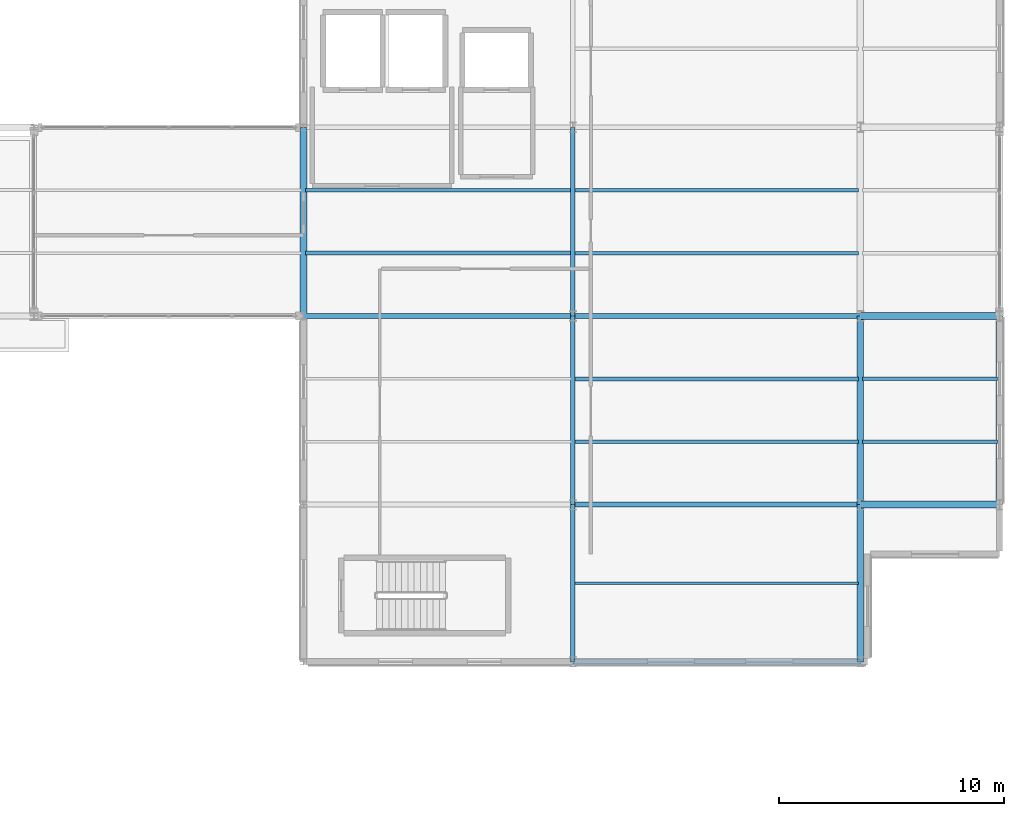
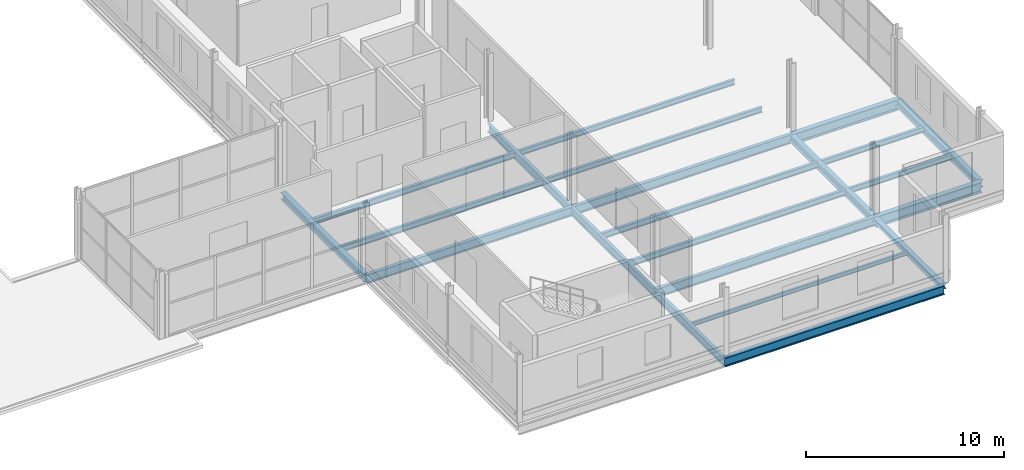
# One storey, part 66 of 93: 22 beams.
"""IFC4 building model written with IfcOpenShell, lengths in metres."""

from ifc_helpers import new_model, si_unit, direction, frame, origin, origin_2d, place, context, subcontext, project, spatial, i_section, extrude, material, material_profile, profile_set, type_object, element, save


model = new_model("IFC4")

# Units and contexts
model_context = context("Model", 3, precision=1e-05, world=origin(), true_north=direction((0.0, 1.0)))
body_context = subcontext(model_context, "Body", "Model", "MODEL_VIEW")
ifc_project = project(units=[si_unit("LENGTHUNIT", "METRE"), si_unit("AREAUNIT", "SQUARE_METRE"), si_unit("VOLUMEUNIT", "CUBIC_METRE"), si_unit("PLANEANGLEUNIT", "RADIAN"), si_unit("MASSUNIT", "GRAM", prefix="KILO")], contexts=[model_context])

# Site, building, storey
site_placement = place(None, origin())
site = spatial("IfcSite", under=ifc_project, at=site_placement, CompositionType="ELEMENT")
building_placement = place(site_placement, origin())
building = spatial("IfcBuilding", under=site, at=building_placement, Name="Vekula Escarpment Museum", CompositionType="ELEMENT")
storey_placement = place(building_placement, frame((0.0, 0.0, 22.199951171875)))
storey = spatial("IfcBuildingStorey", under=building, at=storey_placement, Name="L05", CompositionType="ELEMENT", Elevation=22.199951171875)

# Beams
ifc_material_1 = material(Name="Steel S355", Category="steel")
ifc_material_profile_1 = material_profile(ifc_material_1, i_section(OverallWidth=0.300048828125, OverallDepth=0.64990234375, WebThickness=0.01611328125, FlangeThickness=0.031005859375, FilletRadius=0.027099609375, at=origin_2d()), Name="HEB 650")
ifc_profile_set_1 = profile_set([ifc_material_profile_1], Name="Steel S355")
beam_type_1 = type_object("IfcBeamType", Name="BM-GIRD-HEB650", PredefinedType="BEAM", material=ifc_profile_set_1)
for number, where, z_axis, x_axis, name in (
    (1, (191.800048828125, 59.60009765625, -0.574951171875), (1.0, 0.0, 0.0), (0.0, 1.0, 0.0), "Beam X L05 1991"),
    (2, (191.800048828125, 68.0, -0.574951171875), (1.0, 0.0, 0.0), (0.0, 1.0, 0.0), "Beam X L05 2008"),
):
    element("IfcBeam", number, at=place(storey_placement, frame(where, z_axis=z_axis, x_axis=x_axis)), inside=storey, type_object=beam_type_1, Name=name, PredefinedType="BEAM", context=body_context, shape_type="SweptSolid", body=[
        extrude(i_section(OverallWidth=0.300048828125, OverallDepth=0.64990234375, WebThickness=0.01611328125, FlangeThickness=0.031005859375, FilletRadius=0.027099609375, at=origin_2d()), origin(), (0.0, 0.0, 1.0), 6.199951171875),
    ])
ifc_material_2 = material(Name="Steel S355", Category="steel")
ifc_material_profile_2 = material_profile(ifc_material_2, i_section(OverallWidth=0.199951171875, OverallDepth=0.5, WebThickness=0.01025390625, FlangeThickness=0.01611328125, FilletRadius=0.02099609375, at=origin_2d()), Name="IPE 500")
ifc_profile_set_2 = profile_set([ifc_material_profile_2], Name="Steel S355")
beam_type_2 = type_object("IfcBeamType", Name="BM-GIRD-IPE500", PredefinedType="BEAM", material=ifc_profile_set_2)
beam_1_placement = place(storey_placement, frame((179.0, 52.60009765625, -0.5), z_axis=(0.0, 1.0, 0.0), x_axis=(-1.0, 0.0, 0.0)))
element("IfcBeam", 3, at=beam_1_placement, inside=storey, type_object=beam_type_2, Name="Beam Y L05 2166", PredefinedType="BEAM", context=body_context, shape_type="SweptSolid", body=[
    extrude(i_section(OverallWidth=0.199951171875, OverallDepth=0.5, WebThickness=0.01025390625, FlangeThickness=0.01611328125, FilletRadius=0.02099609375, at=origin_2d()), origin(), (0.0, 0.0, 1.0), 7.0),
])
for number, where, z_axis, x_axis, name in (
    (4, (179.0, 59.60009765625, -0.5), (0.0, 1.0, 0.0), (-1.0, 0.0, 0.0), "Beam Y L05 2167"),
    (5, (179.0, 68.0, -0.5), (0.0, 1.0, 0.0), (-1.0, 0.0, 0.0), "Beam Y L05 2168"),
):
    element("IfcBeam", number, at=place(storey_placement, frame(where, z_axis=z_axis, x_axis=x_axis)), inside=storey, type_object=beam_type_2, Name=name, PredefinedType="BEAM", context=body_context, shape_type="SweptSolid", body=[
        extrude(i_section(OverallWidth=0.199951171875, OverallDepth=0.5, WebThickness=0.01025390625, FlangeThickness=0.01611328125, FilletRadius=0.02099609375, at=origin_2d()), origin(), (0.0, 0.0, 1.0), 8.39990234375),
    ])
ifc_material_3 = material(Name="Steel S355", Category="steel")
ifc_material_profile_3 = material_profile(ifc_material_3, i_section(OverallWidth=0.2099609375, OverallDepth=0.550048828125, WebThickness=0.010986328125, FlangeThickness=0.01708984375, FilletRadius=0.02392578125, at=origin_2d()), Name="IPE 550")
ifc_profile_set_3 = profile_set([ifc_material_profile_3], Name="Steel S355")
beam_type_3 = type_object("IfcBeamType", Name="BM-GIRD-IPE550", PredefinedType="BEAM", material=ifc_profile_set_3)
for number, where, z_axis, x_axis, name in (
    (6, (179.0, 52.60009765625, -0.52490234375), (1.0, 0.0, 0.0), (0.0, 1.0, 0.0), "Beam X L05 1974"),
    (7, (179.0, 59.60009765625, -0.52490234375), (1.0, 0.0, 0.0), (0.0, 1.0, 0.0), "Beam X L05 1990"),
):
    element("IfcBeam", number, at=place(storey_placement, frame(where, z_axis=z_axis, x_axis=x_axis)), inside=storey, type_object=beam_type_3, Name=name, PredefinedType="BEAM", context=body_context, shape_type="SweptSolid", body=[
        extrude(i_section(OverallWidth=0.2099609375, OverallDepth=0.550048828125, WebThickness=0.010986328125, FlangeThickness=0.01708984375, FilletRadius=0.02392578125, at=origin_2d()), origin(), (0.0, 0.0, 1.0), 12.800048828125),
    ])
beam_2_placement = place(storey_placement, frame((167.0, 68.0, -0.52490234375), z_axis=(1.0, 0.0, 0.0), x_axis=(0.0, 1.0, 0.0)))
element("IfcBeam", 8, at=beam_2_placement, inside=storey, type_object=beam_type_3, Name="Beam X L05 2006", PredefinedType="BEAM", context=body_context, shape_type="SweptSolid", body=[
    extrude(i_section(OverallWidth=0.2099609375, OverallDepth=0.550048828125, WebThickness=0.010986328125, FlangeThickness=0.01708984375, FilletRadius=0.02392578125, at=origin_2d()), origin(), (0.0, 0.0, 1.0), 12.0),
])
beam_3_placement = place(storey_placement, frame((179.0, 68.0, -0.52490234375), z_axis=(1.0, 0.0, 0.0), x_axis=(0.0, 1.0, 0.0)))
element("IfcBeam", 9, at=beam_3_placement, inside=storey, type_object=beam_type_3, Name="Beam X L05 2007", PredefinedType="BEAM", context=body_context, shape_type="SweptSolid", body=[
    extrude(i_section(OverallWidth=0.2099609375, OverallDepth=0.550048828125, WebThickness=0.010986328125, FlangeThickness=0.01708984375, FilletRadius=0.02392578125, at=origin_2d()), origin(), (0.0, 0.0, 1.0), 12.800048828125),
])
ifc_material_4 = material(Name="Steel S355", Category="steel")
ifc_material_profile_4 = material_profile(ifc_material_4, i_section(OverallWidth=0.1201171875, OverallDepth=0.239990234375, WebThickness=0.006103515625, FlangeThickness=0.009765625, FilletRadius=0.014892578125, at=origin_2d()), Name="IPE 240")
ifc_profile_set_4 = profile_set([ifc_material_profile_4], Name="Steel S355")
beam_type_4 = type_object("IfcBeamType", Name="BM-JST-IPE240", PredefinedType="JOIST", material=ifc_profile_set_4)
beam_4_placement = place(storey_placement, frame((179.090087890625, 56.10009765625, -0.369873046875), z_axis=(1.0, 0.0, 0.0), x_axis=(0.0, 1.0, 0.0)))
element("IfcBeam", 10, at=beam_4_placement, inside=storey, type_object=beam_type_4, Name="Secondary Joist L05 1398", PredefinedType="JOIST", context=body_context, shape_type="SweptSolid", body=[
    extrude(i_section(OverallWidth=0.1201171875, OverallDepth=0.239990234375, WebThickness=0.006103515625, FlangeThickness=0.009765625, FilletRadius=0.014892578125, at=origin_2d()), origin(), (0.0, 0.0, 1.0), 12.619873046875),
])
ifc_material_5 = material(Name="Steel S355", Category="steel")
ifc_material_profile_5 = material_profile(ifc_material_5, i_section(OverallWidth=0.159912109375, OverallDepth=0.330078125, WebThickness=0.007568359375, FlangeThickness=0.011474609375, FilletRadius=0.01806640625, at=origin_2d()), Name="IPE 330")
ifc_profile_set_5 = profile_set([ifc_material_profile_5], Name="Steel S355")
beam_type_5 = type_object("IfcBeamType", Name="BM-JST-IPE330", PredefinedType="JOIST", material=ifc_profile_set_5)
for number, where, z_axis, x_axis, name in (
    (11, (179.090087890625, 70.800048828125, -0.4150390625), (1.0, 0.0, 0.0), (0.0, 1.0, 0.0), "Secondary Joist L05 1401"),
    (12, (179.090087890625, 73.60009765625, -0.4150390625), (1.0, 0.0, 0.0), (0.0, 1.0, 0.0), "Secondary Joist L05 1402"),
):
    element("IfcBeam", number, at=place(storey_placement, frame(where, z_axis=z_axis, x_axis=x_axis)), inside=storey, type_object=beam_type_5, Name=name, PredefinedType="JOIST", context=body_context, shape_type="SweptSolid", body=[
        extrude(i_section(OverallWidth=0.159912109375, OverallDepth=0.330078125, WebThickness=0.007568359375, FlangeThickness=0.011474609375, FilletRadius=0.01806640625, at=origin_2d()), origin(), (0.0, 0.0, 1.0), 12.619873046875),
    ])
for number, where, z_axis, x_axis, name in (
    (13, (191.889892578125, 62.39990234375, -0.4150390625), (1.0, 0.0, 0.0), (0.0, 1.0, 0.0), "Secondary Joist L05 1413"),
    (14, (191.889892578125, 65.199951171875, -0.4150390625), (1.0, 0.0, 0.0), (0.0, 1.0, 0.0), "Secondary Joist L05 1414"),
):
    element("IfcBeam", number, at=place(storey_placement, frame(where, z_axis=z_axis, x_axis=x_axis)), inside=storey, type_object=beam_type_5, Name=name, PredefinedType="JOIST", context=body_context, shape_type="SweptSolid", body=[
        extrude(i_section(OverallWidth=0.159912109375, OverallDepth=0.330078125, WebThickness=0.007568359375, FlangeThickness=0.011474609375, FilletRadius=0.01806640625, at=origin_2d()), origin(), (0.0, 0.0, 1.0), 6.02001953125),
    ])
ifc_material_6 = material(Name="Steel S355", Category="steel")
ifc_material_profile_6 = material_profile(ifc_material_6, i_section(OverallWidth=0.169921875, OverallDepth=0.360107421875, WebThickness=0.008056640625, FlangeThickness=0.0126953125, FilletRadius=0.01806640625, at=origin_2d()), Name="IPE 360")
ifc_profile_set_6 = profile_set([ifc_material_profile_6], Name="Steel S355")
beam_type_6 = type_object("IfcBeamType", Name="BM-JST-IPE360", PredefinedType="JOIST", material=ifc_profile_set_6)
for number, where, z_axis, x_axis, name in (
    (15, (167.090087890625, 70.800048828125, -0.429931640625), (1.0, 0.0, 0.0), (0.0, 1.0, 0.0), "Secondary Joist L05 1389"),
    (16, (167.090087890625, 73.60009765625, -0.429931640625), (1.0, 0.0, 0.0), (0.0, 1.0, 0.0), "Secondary Joist L05 1390"),
):
    element("IfcBeam", number, at=place(storey_placement, frame(where, z_axis=z_axis, x_axis=x_axis)), inside=storey, type_object=beam_type_6, Name=name, PredefinedType="JOIST", context=body_context, shape_type="SweptSolid", body=[
        extrude(i_section(OverallWidth=0.169921875, OverallDepth=0.360107421875, WebThickness=0.008056640625, FlangeThickness=0.0126953125, FilletRadius=0.01806640625, at=origin_2d()), origin(), (0.0, 0.0, 1.0), 11.81982421875),
    ])
for number, where, z_axis, x_axis, name in (
    (17, (179.090087890625, 62.39990234375, -0.429931640625), (1.0, 0.0, 0.0), (0.0, 1.0, 0.0), "Secondary Joist L05 1399"),
    (18, (179.090087890625, 65.199951171875, -0.429931640625), (1.0, 0.0, 0.0), (0.0, 1.0, 0.0), "Secondary Joist L05 1400"),
):
    element("IfcBeam", number, at=place(storey_placement, frame(where, z_axis=z_axis, x_axis=x_axis)), inside=storey, type_object=beam_type_6, Name=name, PredefinedType="JOIST", context=body_context, shape_type="SweptSolid", body=[
        extrude(i_section(OverallWidth=0.169921875, OverallDepth=0.360107421875, WebThickness=0.008056640625, FlangeThickness=0.0126953125, FilletRadius=0.01806640625, at=origin_2d()), origin(), (0.0, 0.0, 1.0), 12.619873046875),
    ])
ifc_material_7 = material(Name="Steel S355", Category="steel")
ifc_material_profile_7 = material_profile(ifc_material_7, i_section(OverallWidth=0.300048828125, OverallDepth=0.2900390625, WebThickness=0.008544921875, FlangeThickness=0.013916015625, FilletRadius=0.027099609375, at=origin_2d()), Name="HEA 300")
ifc_profile_set_7 = profile_set([ifc_material_profile_7], Name="Steel S355")
beam_type_7 = type_object("IfcBeamType", Name="BM-SPAN-HEA300", PredefinedType="SPANDREL", material=ifc_profile_set_7)
beam_5_placement = place(storey_placement, frame((191.800048828125, 52.60009765625, -0.39501953125), z_axis=(0.0, 1.0, 0.0), x_axis=(-1.0, 0.0, 0.0)))
element("IfcBeam", 19, at=beam_5_placement, inside=storey, type_object=beam_type_7, Name="Beam Y L05 2175", PredefinedType="SPANDREL", context=body_context, shape_type="SweptSolid", body=[
    extrude(i_section(OverallWidth=0.300048828125, OverallDepth=0.2900390625, WebThickness=0.008544921875, FlangeThickness=0.013916015625, FilletRadius=0.027099609375, at=origin_2d()), origin(), (0.0, 0.0, 1.0), 7.0),
])
ifc_material_8 = material(Name="Steel S355", Category="steel")
ifc_material_profile_8 = material_profile(ifc_material_8, i_section(OverallWidth=0.300048828125, OverallDepth=0.43994140625, WebThickness=0.011474609375, FlangeThickness=0.02099609375, FilletRadius=0.027099609375, at=origin_2d()), Name="HEA 450")
ifc_profile_set_8 = profile_set([ifc_material_profile_8], Name="Steel S355")
beam_type_8 = type_object("IfcBeamType", Name="BM-SPAN-HEA450", PredefinedType="SPANDREL", material=ifc_profile_set_8)
for number, where, z_axis, x_axis, name in (
    (20, (167.0, 68.0, -0.469970703125), (0.0, 1.0, 0.0), (-1.0, 0.0, 0.0), "Beam Y L05 2159"),
    (21, (191.800048828125, 59.60009765625, -0.469970703125), (0.0, 1.0, 0.0), (-1.0, 0.0, 0.0), "Beam Y L05 2176"),
    (22, (198.0, 59.60009765625, -0.469970703125), (0.0, 1.0, 0.0), (-1.0, 0.0, 0.0), "Beam Y L05 2184"),
):
    element("IfcBeam", number, at=place(storey_placement, frame(where, z_axis=z_axis, x_axis=x_axis)), inside=storey, type_object=beam_type_8, Name=name, PredefinedType="SPANDREL", context=body_context, shape_type="SweptSolid", body=[
        extrude(i_section(OverallWidth=0.300048828125, OverallDepth=0.43994140625, WebThickness=0.011474609375, FlangeThickness=0.02099609375, FilletRadius=0.027099609375, at=origin_2d()), origin(), (0.0, 0.0, 1.0), 8.39990234375),
    ])

save(model, "model.ifc")
